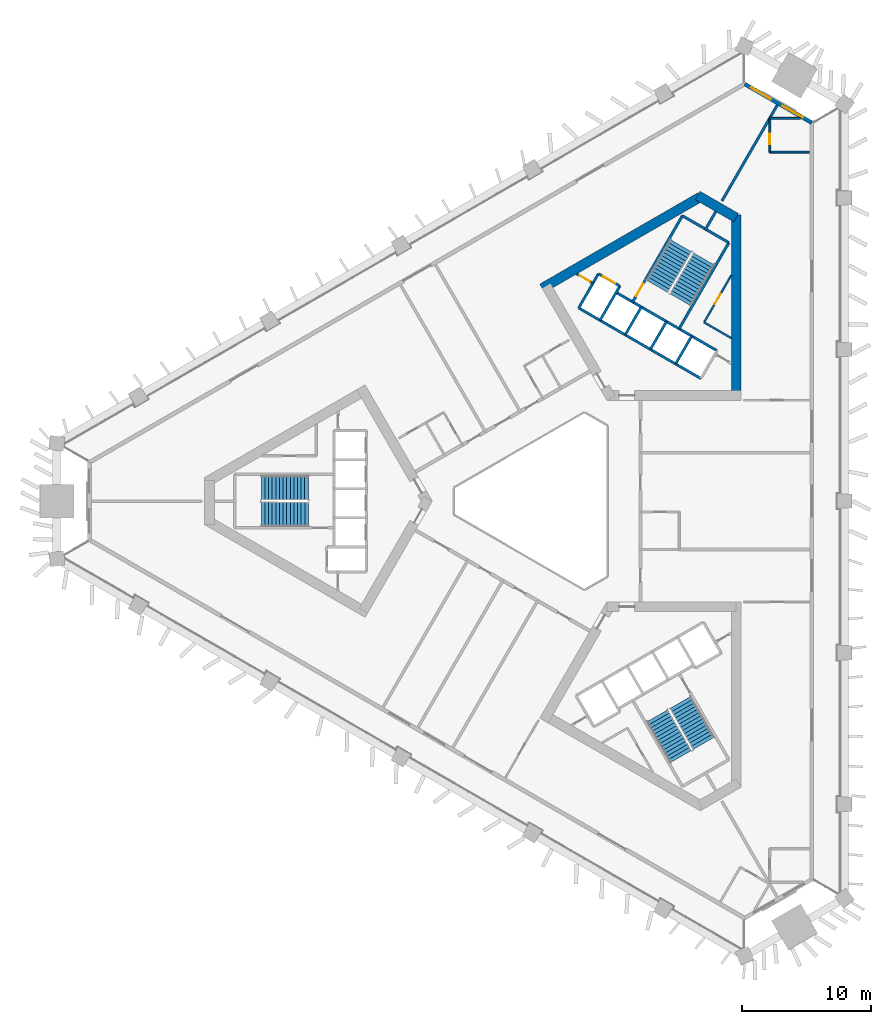
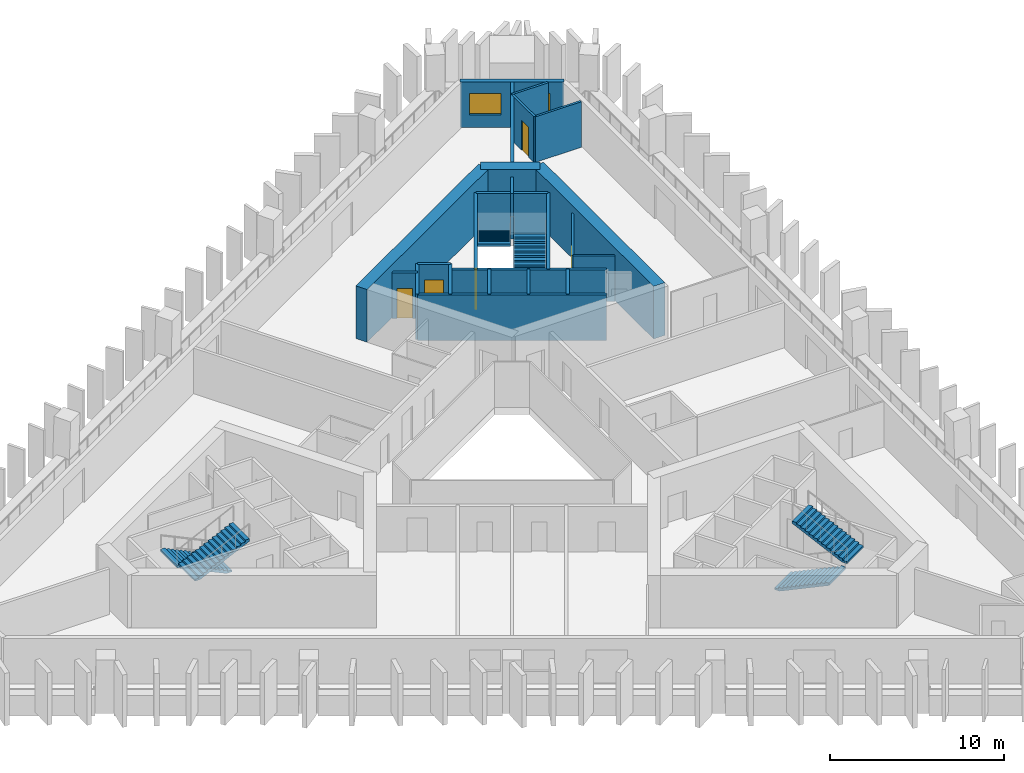
# One storey, part 6 of 10: 23 walls, 6 stair flights, 5 doors, 2 windows, 7 openings, 3 elements without a shape of their own.
"""IFC4 building model written with IfcOpenShell, lengths in metres."""

import ifcopenshell
import ifcopenshell.guid

model = None  # the IFC model being written
_history = None  # IfcOwnerHistory: only IFC2X3 demands one
_inside = {}  # id of a spatial element -> (the spatial element, [elements in it])
_under = {}  # id of a project, library or spatial element -> (it, [spatial elements below it])
_declared = {}  # id of a project -> (the project, [libraries it declares])
_typed = {}  # id of a type object -> (the type object, [elements of that type])
_made_of = {}  # id of a material, layer set ... -> (it, [elements and type objects made of it])


def new_model(schema):
    """Start an empty IFC model of exactly this schema.

    Asked for "IFC4X3", IfcOpenShell would pick the latest addendum, in which some entities
    have other attributes; the version numbers below select the first issue.
    IFC2X3 requires an IfcOwnerHistory on every rooted entity: one is made here for all.
    """
    global model, _history
    if schema == "IFC4X3":
        model = ifcopenshell.file(schema_version=(4, 3, 0, 0))
    else:
        model = ifcopenshell.file(schema=schema)
    _inside.clear()
    _under.clear()
    _declared.clear()
    _typed.clear()
    _made_of.clear()
    _history = None
    if model.schema == "IFC2X3":
        org = make("IfcOrganization", Name="unknown")
        user = make(
            "IfcPersonAndOrganization",
            ThePerson=make("IfcPerson", FamilyName="unknown"),
            TheOrganization=org,
        )
        app = make(
            "IfcApplication",
            ApplicationDeveloper=org,
            Version="unknown",
            ApplicationFullName="unknown",
            ApplicationIdentifier="unknown",
        )
        _history = make(
            "IfcOwnerHistory",
            OwningUser=user,
            OwningApplication=app,
            ChangeAction="ADDED",
            CreationDate=0,
        )
    return model


def make(cls, **values):
    """One entity of the class cls with the attributes given. An attribute that is None is left unset."""
    return model.create_entity(
        cls, **{name: value for name, value in values.items() if value is not None}
    )


def rooted(cls, **values):
    """An entity with a GlobalId (a new one), such as an element, a storey or a relation."""
    return make(cls, GlobalId=ifcopenshell.guid.new(), OwnerHistory=_history, **values)


def si_unit(unit_type, name, prefix=None):
    """IfcSIUnit, for example si_unit("LENGTHUNIT", "METRE", prefix="MILLI")."""
    return make("IfcSIUnit", UnitType=unit_type, Prefix=prefix, Name=name)


def assignment(units):
    """IfcUnitAssignment: the units of a project."""
    return None if units is None else make("IfcUnitAssignment", Units=units)


def point(xyz):
    """IfcCartesianPoint."""
    return None if xyz is None else make("IfcCartesianPoint", Coordinates=xyz)


def direction(xyz):
    """IfcDirection."""
    return None if xyz is None else make("IfcDirection", DirectionRatios=xyz)


def frame(location, z_axis=None, x_axis=None):
    """IfcAxis2Placement3D, a coordinate frame: its origin and axes. An axis left out is left unset."""
    return make(
        "IfcAxis2Placement3D",
        Location=point(location),
        Axis=direction(z_axis),
        RefDirection=direction(x_axis),
    )


def frame_2d(location, x_axis=None):
    """IfcAxis2Placement2D, a coordinate frame in the plane: its origin and x axis."""
    return make(
        "IfcAxis2Placement2D", Location=point(location), RefDirection=direction(x_axis)
    )


def origin():
    """The frame at (0, 0, 0) with its axes left unset."""
    return frame((0.0, 0.0, 0.0))


def place(relative_to, where):
    """IfcLocalPlacement: puts the frame where relative to a parent placement (None: the world)."""
    return make(
        "IfcLocalPlacement", PlacementRelTo=relative_to, RelativePlacement=where
    )


def context(
    kind, dimensions, precision=None, world=None, true_north=None, identifier=None
):
    """IfcGeometricRepresentationContext, for example the 3D "Model" context."""
    return make(
        "IfcGeometricRepresentationContext",
        ContextIdentifier=identifier,
        ContextType=kind,
        CoordinateSpaceDimension=dimensions,
        Precision=precision,
        WorldCoordinateSystem=world,
        TrueNorth=true_north,
    )


def subcontext(parent, identifier, kind, view, scale=None):
    """IfcGeometricRepresentationSubContext, for example "Body" below "Model"."""
    return make(
        "IfcGeometricRepresentationSubContext",
        ContextIdentifier=identifier,
        ContextType=kind,
        ParentContext=parent,
        TargetScale=scale,
        TargetView=view,
    )


def project(units=None, contexts=None):
    """IfcProject with its units and contexts."""
    return rooted(
        "IfcProject",
        Name="project",
        RepresentationContexts=contexts,
        UnitsInContext=assignment(units),
    )


def spatial(cls, under=None, at=None, **own):
    """A site, building, storey or space (cls), placed at a placement, below another one or the project."""
    s = rooted(cls, ObjectPlacement=at, **own)
    if under is not None:
        _under.setdefault(under.id(), (under, []))[1].append(s)
    return s


def polyline(points):
    """IfcPolyline through the points."""
    return make("IfcPolyline", Points=[point(p) for p in points])


def profile(cls, at=None, kind="AREA", **sizes):
    """A parametric profile (cls). Its sizes go by their IFC names, for example OverallWidth=200.0."""
    return make(cls, ProfileType=kind, Position=at, **sizes)


def rectangle(**sizes):
    """IfcRectangleProfileDef."""
    return profile("IfcRectangleProfileDef", **sizes)


def outline(outer, holes=None, kind="AREA"):
    """IfcArbitraryClosedProfileDef: a profile drawn as a closed curve; with holes, ...WithVoids."""
    if holes is None:
        return make("IfcArbitraryClosedProfileDef", ProfileType=kind, OuterCurve=outer)
    return make(
        "IfcArbitraryProfileDefWithVoids",
        ProfileType=kind,
        OuterCurve=outer,
        InnerCurves=holes,
    )


def extrude(swept, where, along, depth):
    """IfcExtrudedAreaSolid: the profile swept, set in the frame where, extruded along a direction by depth."""
    return make(
        "IfcExtrudedAreaSolid",
        SweptArea=swept,
        Position=where,
        ExtrudedDirection=direction(along),
        Depth=depth,
    )


def shape(context_of_items, identifier, shape_type, items):
    """IfcShapeRepresentation: the items that make up one representation, for example the "Body"."""
    return make(
        "IfcShapeRepresentation",
        ContextOfItems=context_of_items,
        RepresentationIdentifier=identifier,
        RepresentationType=shape_type,
        Items=items,
    )


def material(Name=None, Category=None):
    """IfcMaterial."""
    return make("IfcMaterial", Name=Name, Category=Category)


def layer(
    of_material, thickness, ventilated=None, Name=None, Category=None, Priority=None
):
    """IfcMaterialLayer: one layer of a wall or slab, of a material (None: an air gap)."""
    return make(
        "IfcMaterialLayer",
        Material=of_material,
        LayerThickness=thickness,
        IsVentilated=ventilated,
        Name=Name,
        Category=Category,
        Priority=Priority,
    )


def layer_set(layers, Name=None):
    """IfcMaterialLayerSet."""
    return make("IfcMaterialLayerSet", MaterialLayers=layers, LayerSetName=Name)


def made_of(thing, what):
    """Note that an element or type object is made of a material, layer set ...; save() writes the relation."""
    if what is not None:
        _made_of.setdefault(what.id(), (what, []))[1].append(thing)
    return thing


def type_object(cls, material=None, **own):
    """A type object (cls), such as IfcWallType, which elements share."""
    return made_of(rooted(cls, **own), material)


def element(
    cls,
    number,
    at=None,
    inside=None,
    cuts=None,
    type_object=None,
    material=None,
    context=None,
    identifier="Body",
    shape_type=None,
    held_by="IfcProductDefinitionShape",
    body=None,
    shapes=None,
    **own,
):
    """One element of the class cls, such as IfcWall. Its Tag is "e" and its number.

    at: its placement. inside: the storey or other place that contains it. cuts: it is an
    opening in that element (IfcRelVoidsElement). A single representation is given by context,
    identifier, shape_type and body (its items); several are given by shapes. held_by: the class
    of the entity that holds the representations. save() writes the other relations.
    """
    e = rooted(cls, Tag="e%d" % number, ObjectPlacement=at, **own)
    if body is not None:
        shapes = [shape(context, identifier, shape_type, body)]
    if shapes is not None:
        e.Representation = make(held_by, Representations=shapes)
    if inside is not None:
        _inside.setdefault(inside.id(), (inside, []))[1].append(e)
    if cuts is not None:
        rooted(
            "IfcRelVoidsElement", RelatingBuildingElement=cuts, RelatedOpeningElement=e
        )
    if type_object is not None:
        _typed.setdefault(type_object.id(), (type_object, []))[1].append(e)
    return made_of(e, material)


def fill(opening, filler):
    """IfcRelFillsElement: the door or window that sits in an opening."""
    return rooted(
        "IfcRelFillsElement",
        RelatingOpeningElement=opening,
        RelatedBuildingElement=filler,
    )


def aggregate(whole, parts):
    """IfcRelAggregates: a whole, such as a stair, and the parts it consists of."""
    return rooted("IfcRelAggregates", RelatingObject=whole, RelatedObjects=parts)


def save(model, path):
    """Write the relations noted so far, then the file.

    IfcRelAggregates (storeys below a building ...), IfcRelContainedInSpatialStructure (elements
    in a storey), IfcRelDefinesByType, IfcRelAssociatesMaterial and IfcRelDeclares: one each for
    every whole, place, type object, material and project.
    """
    for whole, parts in _under.values():
        aggregate(whole, parts)
    for where, things in _inside.values():
        rooted(
            "IfcRelContainedInSpatialStructure",
            RelatedElements=things,
            RelatingStructure=where,
        )
    for kind, things in _typed.values():
        rooted("IfcRelDefinesByType", RelatedObjects=things, RelatingType=kind)
    for what, things in _made_of.values():
        rooted("IfcRelAssociatesMaterial", RelatedObjects=things, RelatingMaterial=what)
    for by, libraries in _declared.values():
        rooted("IfcRelDeclares", RelatingContext=by, RelatedDefinitions=libraries)
    model.write(path)


model = new_model("IFC4")

# Units and contexts
model_context = context("Model", 3, precision=1e-05, world=origin(), true_north=direction((0.0, 1.0)))
body_context = subcontext(model_context, "Body", "Model", "MODEL_VIEW")
ifc_project = project(units=[si_unit("LENGTHUNIT", "METRE"), si_unit("AREAUNIT", "SQUARE_METRE"), si_unit("VOLUMEUNIT", "CUBIC_METRE"), si_unit("PLANEANGLEUNIT", "RADIAN"), si_unit("MASSUNIT", "GRAM", prefix="KILO")], contexts=[model_context])

# Site, building, storey
site_placement = place(None, origin())
site = spatial("IfcSite", under=ifc_project, at=site_placement, CompositionType="ELEMENT")
building_placement = place(site_placement, origin())
building = spatial("IfcBuilding", under=site, at=building_placement, Name="Jabali Bay Hotel Tower and Convention Centre", CompositionType="ELEMENT")
storey_placement = place(building_placement, frame((0.0, 0.0, 86.89990234375)))
storey = spatial("IfcBuildingStorey", under=building, at=storey_placement, Name="L20", CompositionType="ELEMENT", Elevation=86.89990234375)

# Wall
ifc_material_1 = material(Name="Concrete C40", Category="concrete")
ifc_layer_1 = layer(ifc_material_1, 0.199951171875)
ifc_layer_set_1 = layer_set([ifc_layer_1], Name="Concrete C40")
wall_type_1 = type_object("IfcWallType", Name="Core partition wall 200", PredefinedType="PARTITIONING", material=ifc_layer_set_1)
wall_1_placement = place(storey_placement, frame((87.090087890625, 100.9404296875, 0.0), z_axis=(0.0, 0.0, 1.0), x_axis=(0.499937194881, 0.866061661301, 0.0)))
element("IfcWall", 1, at=wall_1_placement, inside=storey, type_object=wall_type_1, Name="Core wall 1.5 L20", PredefinedType="PARTITIONING", context=body_context, shape_type="SweptSolid", body=[
    extrude(rectangle(XDim=1.673095703125, YDim=0.199951171875, at=frame_2d((0.83642578125, 0.0))), origin(), (0.0, 0.0, 1.0), 3.2001953125),
])

# Wall, opening, door
wall_2_placement = place(storey_placement, frame((78.43017578125, 96.84130859375, 0.0), z_axis=(0.0, 0.0, 1.0), x_axis=(-0.866045896294, 0.499964504253, 0.0)))
wall_2 = element("IfcWall", 2, at=wall_2_placement, inside=storey, type_object=wall_type_1, Name="Core wall 1.12 L20", PredefinedType="PARTITIONING", context=body_context, shape_type="SweptSolid", body=[
    extrude(rectangle(XDim=1.455078125, YDim=0.199951171875, at=frame_2d((0.7275390625, 0.0))), origin(), (0.0, 0.0, 1.0), 3.2001953125),
])
opening_1_placement = place(wall_2_placement, frame((0.277587890625, 0.0, 0.0)))
opening_1 = element("IfcOpeningElement", 3, at=opening_1_placement, cuts=wall_2, Name="Opening D482", PredefinedType="OPENING", context=body_context, shape_type="SweptSolid", body=[
    extrude(rectangle(XDim=0.89990234375, YDim=2.10009765625, at=frame_2d((0.449951171875, 1.050048828125))), frame((0.0, 0.1103515625, 0.0), z_axis=(0.0, -1.0, 0.0), x_axis=(1.0, 0.0, 0.0)), (0.0, 0.0, 1.0), 0.220947265625),
])
ifc_material_2 = material(Name="Fire-rated steel door", Category="steel")
door_type_1 = type_object("IfcDoorType", Name="Vestibule fire door 900 x 2100", OperationType="NOTDEFINED", PredefinedType="NOTDEFINED", material=ifc_material_2)
door_1_placement = place(opening_1_placement, origin())
door_1 = element("IfcDoor", 4, at=door_1_placement, inside=storey, type_object=door_type_1, Name="Vestibule fire door D482", OperationType="SINGLE_SWING_LEFT", OverallHeight=2.10009765625, OverallWidth=0.89990234375, PredefinedType="NOTDEFINED", context=body_context, shape_type="SweptSolid", body=[
    extrude(rectangle(XDim=0.89990234375, YDim=2.10009765625, at=frame_2d((0.449951171875, 1.050048828125))), frame((0.0, 0.02490234375, 0.0), z_axis=(0.0, -1.0, 0.0), x_axis=(1.0, 0.0, 0.0)), (0.0, 0.0, 1.0), 0.050048828125),
])
fill(opening_1, door_1)

ifc_material_3 = material(Name="Fire-rated board partition")
ifc_layer_2 = layer(ifc_material_3, 0.14990234375)
ifc_layer_set_2 = layer_set([ifc_layer_2], Name="Fire-rated board partition")
wall_type_2 = type_object("IfcWallType", Name="Core room partition 150", PredefinedType="PARTITIONING", material=ifc_layer_set_2)
wall_3_placement = place(storey_placement, frame((87.02099609375, 93.821044921875, 0.0), z_axis=(0.0, 0.0, 1.0), x_axis=(0.499986337096, 0.866033291922, 0.0)))
wall_3 = element("IfcWall", 5, at=wall_3_placement, inside=storey, type_object=wall_type_2, Name="Core wall 1.1 L20", PredefinedType="PARTITIONING", context=body_context, shape_type="SweptSolid", body=[
    extrude(rectangle(XDim=4.2177734375, YDim=0.14990234375, at=frame_2d((2.10888671875, 0.0))), origin(), (0.0, 0.0, 1.0), 3.2001953125),
])
opening_2_placement = place(wall_3_placement, frame((1.63134765625, 0.0, 0.0)))
opening_2 = element("IfcOpeningElement", 6, at=opening_2_placement, cuts=wall_3, Name="Opening D485", PredefinedType="OPENING", context=body_context, shape_type="SweptSolid", body=[
    extrude(rectangle(XDim=0.89990234375, YDim=2.10009765625, at=frame_2d((0.449951171875, 1.050048828125))), frame((0.0, 0.08544921875, 0.0), z_axis=(0.0, -1.0, 0.0), x_axis=(1.0, 0.0, 0.0)), (0.0, 0.0, 1.0), 0.1708984375),
])
door_type_2 = type_object("IfcDoorType", Name="Core room door 900 x 2100", OperationType="NOTDEFINED", PredefinedType="NOTDEFINED", material=ifc_material_2)
door_2_placement = place(opening_2_placement, origin())
door_2 = element("IfcDoor", 7, at=door_2_placement, inside=storey, type_object=door_type_2, Name="Core room door D485", OperationType="SINGLE_SWING_LEFT", OverallHeight=2.10009765625, OverallWidth=0.89990234375, PredefinedType="NOTDEFINED", context=body_context, shape_type="SweptSolid", body=[
    extrude(rectangle(XDim=0.89990234375, YDim=2.10009765625, at=frame_2d((0.449951171875, 1.050048828125))), frame((0.0, 0.02490234375, 0.0), z_axis=(0.0, -1.0, 0.0), x_axis=(1.0, 0.0, 0.0)), (0.0, 0.0, 1.0), 0.050048828125),
])
fill(opening_2, door_2)

# Walls
wall_4_placement = place(storey_placement, frame((89.130126953125, 92.603515625, 0.0), z_axis=(0.0, 0.0, 1.0), x_axis=(-0.866057046432, 0.499945189322, 0.0)))
element("IfcWall", 8, at=wall_4_placement, inside=storey, type_object=wall_type_2, Name="Core wall 1.15 L20", PredefinedType="PARTITIONING", context=body_context, shape_type="SweptSolid", body=[
    extrude(rectangle(XDim=2.435302734375, YDim=0.14990234375, at=frame_2d((1.2177734375, 0.0))), origin(), (0.0, 0.0, 1.0), 3.2001953125),
])
ifc_layer_3 = layer(ifc_material_1, 0.199951171875)
ifc_layer_set_3 = layer_set([ifc_layer_3], Name="Concrete C40")
wall_type_3 = type_object("IfcWallType", Name="Core stair wall 200", PredefinedType="SOLIDWALL", material=ifc_layer_set_3)
wall_5_placement = place(storey_placement, frame((84.8212890625, 90.61083984375, 0.0), z_axis=(0.0, 0.0, 1.0), x_axis=(0.499961042966, 0.86604789447, 0.0)))
element("IfcWall", 9, at=wall_5_placement, inside=storey, type_object=wall_type_3, Name="Core wall 1.2 L20", PredefinedType="SOLIDWALL", context=body_context, shape_type="SweptSolid", body=[
    extrude(rectangle(XDim=2.480224609375, YDim=0.199951171875, at=frame_2d((1.240234375, 0.0))), origin(), (0.0, 0.0, 1.0), 3.2001953125),
])
wall_6_placement = place(storey_placement, frame((85.0869140625, 93.3212890625, 0.0), z_axis=(0.0, 0.0, 1.0), x_axis=(0.500019787375, 0.866013979237, 0.0)))
element("IfcWall", 10, at=wall_6_placement, inside=storey, type_object=wall_type_3, Name="Core wall 1.3 L20", PredefinedType="SOLIDWALL", context=body_context, shape_type="SweptSolid", body=[
    extrude(rectangle(XDim=7.699951171875, YDim=0.199951171875, at=frame_2d((3.85009765625, 0.0))), origin(), (0.0, 0.0, 1.0), 3.2001953125),
])
for number, where, z_axis, x_axis, name in (
    (11, (82.872802734375, 91.73583984375, 0.0), (0.0, 0.0, 1.0), (0.499961042966, 0.86604789447, 0.0), "Core wall 1.4 L20"),
    (12, (80.924072265625, 92.86083984375, 0.0), (0.0, 0.0, 1.0), (0.499961042966, 0.86604789447, 0.0), "Core wall 1.6 L20"),
):
    element("IfcWall", number, at=place(storey_placement, frame(where, z_axis=z_axis, x_axis=x_axis)), inside=storey, type_object=wall_type_3, Name=name, PredefinedType="SOLIDWALL", context=body_context, shape_type="SweptSolid", body=[
        extrude(rectangle(XDim=2.480224609375, YDim=0.199951171875, at=frame_2d((1.240234375, 0.0))), origin(), (0.0, 0.0, 1.0), 3.2001953125),
    ])

# Wall, opening, door
wall_7_placement = place(storey_placement, frame((81.492919921875, 95.396240234375, 0.0), z_axis=(0.0, 0.0, 1.0), x_axis=(0.500006057782, 0.866021906294, 0.0)))
wall_7 = element("IfcWall", 13, at=wall_7_placement, inside=storey, type_object=wall_type_3, Name="Core wall 1.7 L20", PredefinedType="SOLIDWALL", context=body_context, shape_type="SweptSolid", body=[
    extrude(rectangle(XDim=7.7001953125, YDim=0.199951171875, at=frame_2d((3.85009765625, 0.0))), origin(), (0.0, 0.0, 1.0), 3.2001953125),
])
opening_3_placement = place(wall_7_placement, frame((0.550048828125, 0.0, 0.0)))
opening_3 = element("IfcOpeningElement", 14, at=opening_3_placement, cuts=wall_7, Name="Opening D484", PredefinedType="OPENING", context=body_context, shape_type="SweptSolid", body=[
    extrude(rectangle(XDim=1.10009765625, YDim=2.10009765625, at=frame_2d((0.550048828125, 1.050048828125))), frame((0.0, 0.1103515625, 0.0), z_axis=(0.0, -1.0, 0.0), x_axis=(1.0, 0.0, 0.0)), (0.0, 0.0, 1.0), 0.220947265625),
])
door_type_3 = type_object("IfcDoorType", Name="Stair fire door 1100 x 2100", OperationType="NOTDEFINED", PredefinedType="NOTDEFINED", material=ifc_material_2)
door_3_placement = place(opening_3_placement, origin())
door_3 = element("IfcDoor", 15, at=door_3_placement, inside=storey, type_object=door_type_3, Name="Stair fire door D484", OperationType="SINGLE_SWING_RIGHT", OverallHeight=2.10009765625, OverallWidth=1.10009765625, PredefinedType="NOTDEFINED", context=body_context, shape_type="SweptSolid", body=[
    extrude(rectangle(XDim=1.10009765625, YDim=2.10009765625, at=frame_2d((0.550048828125, 1.050048828125))), frame((0.0, 0.02490234375, 0.0), z_axis=(0.0, -1.0, 0.0), x_axis=(1.0, 0.0, 0.0)), (0.0, 0.0, 1.0), 0.050048828125),
])
fill(opening_3, door_3)

# Walls
for number, where, z_axis, x_axis, name in (
    (16, (78.9755859375, 93.98583984375, 0.0), (0.0, 0.0, 1.0), (0.499944174705, 0.866057632134, 0.0), "Core wall 1.8 L20"),
    (17, (77.330078125, 94.93603515625, 0.0), (0.0, 0.0, 1.0), (0.500038867431, 0.8660029625, 0.0), "Core wall 1.9 L20"),
):
    element("IfcWall", number, at=place(storey_placement, frame(where, z_axis=z_axis, x_axis=x_axis)), inside=storey, type_object=wall_type_3, Name=name, PredefinedType="SOLIDWALL", context=body_context, shape_type="SweptSolid", body=[
        extrude(rectangle(XDim=3.050048828125, YDim=0.199951171875, at=frame_2d((1.52490234375, 0.0))), origin(), (0.0, 0.0, 1.0), 3.2001953125),
    ])
wall_8_placement = place(storey_placement, frame((86.769775390625, 89.48583984375, 0.0), z_axis=(0.0, 0.0, 1.0), x_axis=(-0.86601811187, 0.500012629753, 0.0)))
element("IfcWall", 18, at=wall_8_placement, inside=storey, type_object=wall_type_3, Name="Core wall 1.10 L20", PredefinedType="SOLIDWALL", context=body_context, shape_type="SweptSolid", body=[
    extrude(rectangle(XDim=10.900146484375, YDim=0.199951171875, at=frame_2d((5.4501953125, 0.0))), origin(), (0.0, 0.0, 1.0), 3.2001953125),
])
wall_9_placement = place(storey_placement, frame((88.009765625, 91.6337890625, 0.0), z_axis=(0.0, 0.0, 1.0), x_axis=(-0.866024315419, 0.5000018851, 0.0)))
element("IfcWall", 19, at=wall_9_placement, inside=storey, type_object=wall_type_3, Name="Core wall 1.13 L20", PredefinedType="SOLIDWALL", context=body_context, shape_type="SweptSolid", body=[
    extrude(rectangle(XDim=9.0, YDim=0.199951171875, at=frame_2d((4.5, 0.0))), origin(), (0.0, 0.0, 1.0), 3.2001953125),
])

# Wall, opening, door
wall_10_placement = place(storey_placement, frame((80.50048828125, 96.62744140625, 0.0), z_axis=(0.0, 0.0, 1.0), x_axis=(-0.86601224135, 0.500022797313, 0.0)))
wall_10 = element("IfcWall", 20, at=wall_10_placement, inside=storey, type_object=wall_type_3, Name="Core wall 1.14 L20", PredefinedType="SOLIDWALL", context=body_context, shape_type="SweptSolid", body=[
    extrude(rectangle(XDim=1.89990234375, YDim=0.199951171875, at=frame_2d((0.949951171875, 0.0))), origin(), (0.0, 0.0, 1.0), 3.2001953125),
])
opening_4_placement = place(wall_10_placement, frame((0.39990234375, 0.0, 0.0)))
opening_4 = element("IfcOpeningElement", 21, at=opening_4_placement, cuts=wall_10, Name="Opening LD10-L20", PredefinedType="OPENING", context=body_context, shape_type="SweptSolid", body=[
    extrude(rectangle(XDim=1.10009765625, YDim=2.10009765625, at=frame_2d((0.550048828125, 1.050048828125))), frame((0.0, 0.1103515625, 0.0), z_axis=(0.0, -1.0, 0.0), x_axis=(1.0, 0.0, 0.0)), (0.0, 0.0, 1.0), 0.220947265625),
])
ifc_material_4 = material(Name="Stainless steel landing door", Category="steel")
door_type_4 = type_object("IfcDoorType", Name="Landing door 1100 x 2100", OperationType="NOTDEFINED", PredefinedType="NOTDEFINED", material=ifc_material_4)
door_4_placement = place(opening_4_placement, origin())
door_4 = element("IfcDoor", 22, at=door_4_placement, inside=storey, type_object=door_type_4, Name="Landing doors LD10-L20", OperationType="SLIDING_TO_RIGHT", OverallHeight=2.10009765625, OverallWidth=1.10009765625, PredefinedType="NOTDEFINED", context=body_context, shape_type="SweptSolid", body=[
    extrude(rectangle(XDim=1.10009765625, YDim=2.10009765625, at=frame_2d((0.550048828125, 1.050048828125))), frame((0.0, 0.02490234375, 0.0), z_axis=(0.0, -1.0, 0.0), x_axis=(1.0, 0.0, 0.0)), (0.0, 0.0, 1.0), 0.050048828125),
])
fill(opening_4, door_4)

# Walls
wall_11_placement = place(storey_placement, frame((88.93701171875, 99.989501953125, 0.0), z_axis=(0.0, 0.0, 1.0), x_axis=(-0.866004344652, 0.500036473714, 0.0)))
element("IfcWall", 23, at=wall_11_placement, inside=storey, type_object=wall_type_3, Name="Core wall 1.16 L20", PredefinedType="SOLIDWALL", context=body_context, shape_type="SweptSolid", body=[
    extrude(rectangle(XDim=4.150146484375, YDim=0.199951171875, at=frame_2d((2.0751953125, 0.0))), origin(), (0.0, 0.0, 1.0), 3.2001953125),
])
ifc_material_5 = material(Name="Concrete C60", Category="concrete")
ifc_layer_4 = layer(ifc_material_5, 0.75)
ifc_layer_set_4 = layer_set([ifc_layer_4], Name="Concrete C60")
wall_type_4 = type_object("IfcWallType", Name="Core wall 750", PredefinedType="SHEAR", material=ifc_layer_set_4)
wall_12_placement = place(storey_placement, frame((89.5048828125, 88.169189453125, 0.0), z_axis=(0.0, 0.0, 1.0), x_axis=(0.0, 1.0, 0.0)))
element("IfcWall", 24, at=wall_12_placement, inside=storey, type_object=wall_type_4, Name="Core wall 2.2 L20", PredefinedType="SHEAR", context=body_context, shape_type="SweptSolid", body=[
    extrude(rectangle(XDim=13.95849609375, YDim=0.75, at=frame_2d((6.979248046875, 0.0))), origin(), (0.0, 0.0, 1.0), 3.7001953125),
])
wall_13_placement = place(storey_placement, frame((89.5048828125, 101.9111328125, 0.0), z_axis=(0.0, 0.0, 1.0), x_axis=(-0.866017201164, 0.500014207086, 0.0)))
element("IfcWall", 25, at=wall_13_placement, inside=storey, type_object=wall_type_4, Name="Core wall 2.3 L20", PredefinedType="SHEAR", context=body_context, shape_type="SweptSolid", body=[
    extrude(rectangle(XDim=3.4287109375, YDim=0.75, at=frame_2d((1.71435546875, 0.0))), origin(), (0.0, 0.0, 1.0), 3.7001953125),
])
wall_14_placement = place(storey_placement, frame((86.72314453125, 103.517333984375, 0.0), z_axis=(0.0, 0.0, 1.0), x_axis=(-0.866020851292, -0.500007885066, 0.0)))
element("IfcWall", 26, at=wall_14_placement, inside=storey, type_object=wall_type_4, Name="Core wall 2.4 L20", PredefinedType="SHEAR", context=body_context, shape_type="SweptSolid", body=[
    extrude(rectangle(XDim=14.116943359375, YDim=0.75, at=frame_2d((7.05859375, 0.0))), origin(), (0.0, 0.0, 1.0), 3.7001953125),
])

# Wall, openings, windows
ifc_layer_5 = layer(ifc_material_1, 0.300048828125)
ifc_layer_set_5 = layer_set([ifc_layer_5], Name="Concrete C40")
wall_type_5 = type_object("IfcWallType", Name="External wall 300", PredefinedType="SOLIDWALL", material=ifc_layer_set_5)
wall_15_placement = place(storey_placement, frame((90.165283203125, 112.255126953125, 0.0), z_axis=(0.0, 0.0, 1.0), x_axis=(0.866026717539, -0.499997724503, 0.0)))
wall_15 = element("IfcWall", 27, at=wall_15_placement, inside=storey, type_object=wall_type_5, Name="External wall north-east chamfer L20", PredefinedType="SOLIDWALL", context=body_context, shape_type="SweptSolid", body=[
    extrude(rectangle(XDim=5.98828125, YDim=0.300048828125, at=frame_2d((2.994140625, 0.0))), origin(), (0.0, 0.0, 1.0), 3.2001953125),
])
opening_5_placement = place(wall_15_placement, frame((3.388671875, 0.0, 0.89990234375)))
opening_5 = element("IfcOpeningElement", 28, at=opening_5_placement, cuts=wall_15, Name="Opening W1", PredefinedType="OPENING", context=body_context, shape_type="SweptSolid", body=[
    extrude(rectangle(XDim=1.800048828125, YDim=1.5, at=frame_2d((0.89990234375, 0.75))), frame((0.0, 0.16064453125, 0.0), z_axis=(0.0, -1.0, 0.0), x_axis=(1.0, 0.0, 0.0)), (0.0, 0.0, 1.0), 0.321044921875),
])
opening_6_placement = place(wall_15_placement, frame((0.55419921875, 0.0, 0.89990234375)))
opening_6 = element("IfcOpeningElement", 29, at=opening_6_placement, cuts=wall_15, Name="Opening W1", PredefinedType="OPENING", context=body_context, shape_type="SweptSolid", body=[
    extrude(rectangle(XDim=1.800048828125, YDim=1.5, at=frame_2d((0.89990234375, 0.75))), frame((0.0, 0.16064453125, 0.0), z_axis=(0.0, -1.0, 0.0), x_axis=(1.0, 0.0, 0.0)), (0.0, 0.0, 1.0), 0.321044921875),
])
ifc_material_6 = material(Name="Glass", Category="glass")
window_type = type_object("IfcWindowType", Name="Window 1800 x 1500", PartitioningType="SINGLE_PANEL", PredefinedType="WINDOW", material=ifc_material_6)
window_1_placement = place(opening_5_placement, origin())
window_1 = element("IfcWindow", 30, at=window_1_placement, inside=storey, type_object=window_type, Name="Window 2003", OverallHeight=1.5, OverallWidth=1.800048828125, PartitioningType="SINGLE_PANEL", PredefinedType="WINDOW", context=body_context, shape_type="SweptSolid", body=[
    extrude(rectangle(XDim=1.800048828125, YDim=1.5, at=frame_2d((0.89990234375, 0.75))), frame((0.0, 0.030029296875, 0.0), z_axis=(0.0, -1.0, 0.0), x_axis=(1.0, 0.0, 0.0)), (0.0, 0.0, 1.0), 0.06005859375),
])
fill(opening_5, window_1)
window_2_placement = place(opening_6_placement, origin())
window_2 = element("IfcWindow", 31, at=window_2_placement, inside=storey, type_object=window_type, Name="Window 2004", OverallHeight=1.5, OverallWidth=1.800048828125, PartitioningType="SINGLE_PANEL", PredefinedType="WINDOW", context=body_context, shape_type="SweptSolid", body=[
    extrude(rectangle(XDim=1.800048828125, YDim=1.5, at=frame_2d((0.89990234375, 0.75))), frame((0.0, 0.030029296875, 0.0), z_axis=(0.0, -1.0, 0.0), x_axis=(1.0, 0.0, 0.0)), (0.0, 0.0, 1.0), 0.06005859375),
])
fill(opening_6, window_2)

# Wall
ifc_material_7 = material(Name="Plasterboard on steel stud", Category="steel")
ifc_layer_6 = layer(ifc_material_7, 0.14990234375)
ifc_layer_set_6 = layer_set([ifc_layer_6], Name="Plasterboard on steel stud")
wall_type_6 = type_object("IfcWallType", Name="Partition 150 wet", PredefinedType="PARTITIONING", material=ifc_layer_set_6)
wall_16_placement = place(storey_placement, frame((95.1611328125, 106.994140625, 0.0), z_axis=(0.0, 0.0, 1.0), x_axis=(-1.0, 0.0, 0.0)))
element("IfcWall", 32, at=wall_16_placement, inside=storey, type_object=wall_type_6, Name="Partition P03 L20 012", PredefinedType="PARTITIONING", context=body_context, shape_type="SweptSolid", body=[
    extrude(rectangle(XDim=3.0595703125, YDim=0.14990234375, at=frame_2d((1.52978515625, 0.0))), origin(), (0.0, 0.0, 1.0), 3.2001953125),
])

# Wall, opening, door
wall_17_placement = place(storey_placement, frame((92.1015625, 106.994140625, 0.0), z_axis=(0.0, 0.0, 1.0), x_axis=(0.0, 1.0, 0.0)))
wall_17 = element("IfcWall", 33, at=wall_17_placement, inside=storey, type_object=wall_type_6, Name="Partition P03 L20 013", PredefinedType="PARTITIONING", context=body_context, shape_type="SweptSolid", body=[
    extrude(rectangle(XDim=2.60009765625, YDim=0.14990234375, at=frame_2d((1.300048828125, 0.0))), origin(), (0.0, 0.0, 1.0), 3.2001953125),
])
opening_7_placement = place(wall_17_placement, frame((0.60009765625, 0.0, 0.0)))
opening_7 = element("IfcOpeningElement", 34, at=opening_7_placement, cuts=wall_17, Name="Opening 2008", PredefinedType="OPENING", context=body_context, shape_type="SweptSolid", body=[
    extrude(rectangle(XDim=0.800048828125, YDim=2.10009765625, at=frame_2d((0.39990234375, 1.050048828125))), frame((0.0, 0.08544921875, 0.0), z_axis=(0.0, -1.0, 0.0), x_axis=(1.0, 0.0, 0.0)), (0.0, 0.0, 1.0), 0.1708984375),
])
ifc_material_8 = material(Name="Timber", Category="wood")
door_type_5 = type_object("IfcDoorType", Name="En-suite door 800 x 2100", OperationType="NOTDEFINED", PredefinedType="NOTDEFINED", material=ifc_material_8)
door_5_placement = place(opening_7_placement, origin())
door_5 = element("IfcDoor", 35, at=door_5_placement, inside=storey, type_object=door_type_5, Name="Door 2008", OperationType="SINGLE_SWING_LEFT", OverallHeight=2.10009765625, OverallWidth=0.800048828125, PredefinedType="NOTDEFINED", context=body_context, shape_type="SweptSolid", body=[
    extrude(rectangle(XDim=0.800048828125, YDim=2.10009765625, at=frame_2d((0.39990234375, 1.050048828125))), frame((0.0, 0.02490234375, 0.0), z_axis=(0.0, -1.0, 0.0), x_axis=(1.0, 0.0, 0.0)), (0.0, 0.0, 1.0), 0.050048828125),
])
fill(opening_7, door_5)

# Walls
wall_18_placement = place(storey_placement, frame((92.1015625, 109.59423828125, 0.0), z_axis=(0.0, 0.0, 1.0), x_axis=(1.0, 0.0, 0.0)))
element("IfcWall", 36, at=wall_18_placement, inside=storey, type_object=wall_type_6, Name="Partition P03 L20 014", PredefinedType="PARTITIONING", context=body_context, shape_type="SweptSolid", body=[
    extrude(rectangle(XDim=2.37451171875, YDim=0.14990234375, at=frame_2d((1.187255859375, 0.0))), origin(), (0.0, 0.0, 1.0), 3.2001953125),
])
ifc_layer_7 = layer(ifc_material_7, 0.199951171875)
ifc_layer_set_7 = layer_set([ifc_layer_7], Name="Plasterboard on steel stud")
wall_type_7 = type_object("IfcWallType", Name="Partition 200 party", PredefinedType="PARTITIONING", material=ifc_layer_set_7)
wall_19_placement = place(storey_placement, frame((92.6845703125, 110.628662109375, 0.0), z_axis=(0.0, 0.0, 1.0), x_axis=(-0.499995498429, -0.866028002752, 0.0)))
element("IfcWall", 37, at=wall_19_placement, inside=storey, type_object=wall_type_7, Name="Partition P01 L20 015", PredefinedType="PARTITIONING", context=body_context, shape_type="SweptSolid", body=[
    extrude(rectangle(XDim=8.5654296875, YDim=0.199951171875, at=frame_2d((4.28271484375, 0.0))), origin(), (0.0, 0.0, 1.0), 3.2001953125),
])

# Stair, stair flights
stair_type = type_object("IfcStairType", Name="Exit stair 1900", PredefinedType="HALF_TURN_STAIR", material=ifc_material_1)
stair_1_placement = place(storey_placement, origin())
stair_1 = element("IfcStair", 38, at=stair_1_placement, inside=storey, type_object=stair_type, Name="L20 Exit Stair 1", PredefinedType="HALF_TURN_STAIR")
stair_flight_type = type_object("IfcStairFlightType", Name="Stair flight concrete 150", PredefinedType="STRAIGHT", material=ifc_material_1)
stair_flight_1_placement = place(storey_placement, frame((56.419921875, 81.02490234375, 0.0), z_axis=(0.0, 0.0, 1.0), x_axis=(-1.0, 0.0, 0.0)))
stair_flight_1 = element("IfcStairFlight", 39, at=stair_flight_1_placement, type_object=stair_flight_type, Name="ST1 flight 1", NumberOfRisers=14, NumberOfTreads=13, PredefinedType="STRAIGHT", RiserHeight=0.132142857, TreadLength=0.28, context=body_context, shape_type="SweptSolid", body=[
    extrude(outline(polyline([(0.0, 0.0), (0.0, 0.132080078125), (0.280029296875, 0.132080078125), (0.280029296875, 0.264404296875), (0.56005859375, 0.264404296875), (0.56005859375, 0.396484375), (0.840087890625, 0.396484375), (0.840087890625, 0.528564453125), (1.1201171875, 0.528564453125), (1.1201171875, 0.66064453125), (1.39990234375, 0.66064453125), (1.39990234375, 0.79296875), (1.679931640625, 0.79296875), (1.679931640625, 0.925048828125), (1.9599609375, 0.925048828125), (1.9599609375, 1.05712890625), (2.239990234375, 1.05712890625), (2.239990234375, 1.189208984375), (2.52001953125, 1.189208984375), (2.52001953125, 1.321533203125), (2.800048828125, 1.321533203125), (2.800048828125, 1.45361328125), (3.080078125, 1.45361328125), (3.080078125, 1.585693359375), (3.360107421875, 1.585693359375), (3.360107421875, 1.7177734375), (3.639892578125, 1.7177734375), (3.639892578125, 1.85009765625), (3.639892578125, 1.552001953125), (0.351318359375, 0.0), (0.0, 0.0)])), frame((0.0, 0.949951171875, 0.0), z_axis=(0.0, -1.0, 0.0), x_axis=(1.0, 0.0, 0.0)), (0.0, 0.0, 1.0), 1.89990234375),
])
stair_flight_2_placement = place(storey_placement, frame((52.780029296875, 78.97509765625, 1.85009765625), z_axis=(0.0, 0.0, 1.0), x_axis=(1.0, 0.0, 0.0)))
stair_flight_2 = element("IfcStairFlight", 40, at=stair_flight_2_placement, type_object=stair_flight_type, Name="ST1 flight 2", NumberOfRisers=14, NumberOfTreads=13, PredefinedType="STRAIGHT", RiserHeight=0.132142857, TreadLength=0.28, context=body_context, shape_type="SweptSolid", body=[
    extrude(outline(polyline([(0.0, 0.0), (0.0, 0.132080078125), (0.280029296875, 0.132080078125), (0.280029296875, 0.264404296875), (0.56005859375, 0.264404296875), (0.56005859375, 0.396484375), (0.840087890625, 0.396484375), (0.840087890625, 0.528564453125), (1.1201171875, 0.528564453125), (1.1201171875, 0.66064453125), (1.39990234375, 0.66064453125), (1.39990234375, 0.79296875), (1.679931640625, 0.79296875), (1.679931640625, 0.925048828125), (1.9599609375, 0.925048828125), (1.9599609375, 1.05712890625), (2.239990234375, 1.05712890625), (2.239990234375, 1.189208984375), (2.52001953125, 1.189208984375), (2.52001953125, 1.321533203125), (2.800048828125, 1.321533203125), (2.800048828125, 1.45361328125), (3.080078125, 1.45361328125), (3.080078125, 1.585693359375), (3.360107421875, 1.585693359375), (3.360107421875, 1.7177734375), (3.639892578125, 1.7177734375), (3.639892578125, 1.85009765625), (3.639892578125, 1.552001953125), (0.351318359375, 0.0), (0.0, 0.0)])), frame((0.0, 0.949951171875, 0.0), z_axis=(0.0, -1.0, 0.0), x_axis=(1.0, 0.0, 0.0)), (0.0, 0.0, 1.0), 1.89990234375),
])
aggregate(stair_1, [stair_flight_1, stair_flight_2])

stair_2_placement = place(storey_placement, origin())
stair_2 = element("IfcStair", 41, at=stair_2_placement, inside=storey, type_object=stair_type, Name="L20 Exit Stair 2", PredefinedType="HALF_TURN_STAIR")
stair_flight_3_placement = place(storey_placement, frame((85.177734375, 95.578369140625, 0.0), z_axis=(0.0, 0.0, 1.0), x_axis=(0.5, 0.866025403784, 0.0)))
stair_flight_3 = element("IfcStairFlight", 42, at=stair_flight_3_placement, type_object=stair_flight_type, Name="ST2 flight 1", NumberOfRisers=14, NumberOfTreads=13, PredefinedType="STRAIGHT", RiserHeight=0.132142857, TreadLength=0.28, context=body_context, shape_type="SweptSolid", body=[
    extrude(outline(polyline([(0.0, 0.0), (0.0, 0.132080078125), (0.280029296875, 0.132080078125), (0.280029296875, 0.264404296875), (0.56005859375, 0.264404296875), (0.56005859375, 0.396484375), (0.840087890625, 0.396484375), (0.840087890625, 0.528564453125), (1.1201171875, 0.528564453125), (1.1201171875, 0.66064453125), (1.39990234375, 0.66064453125), (1.39990234375, 0.79296875), (1.679931640625, 0.79296875), (1.679931640625, 0.925048828125), (1.9599609375, 0.925048828125), (1.9599609375, 1.05712890625), (2.239990234375, 1.05712890625), (2.239990234375, 1.189208984375), (2.52001953125, 1.189208984375), (2.52001953125, 1.321533203125), (2.800048828125, 1.321533203125), (2.800048828125, 1.45361328125), (3.080078125, 1.45361328125), (3.080078125, 1.585693359375), (3.360107421875, 1.585693359375), (3.360107421875, 1.7177734375), (3.639892578125, 1.7177734375), (3.639892578125, 1.85009765625), (3.639892578125, 1.552001953125), (0.351318359375, 0.0), (0.0, 0.0)])), frame((0.0, 0.949951171875, 0.0), z_axis=(0.0, -1.0, 0.0), x_axis=(1.0, 0.0, 0.0)), (0.0, 0.0, 1.0), 1.89990234375),
])
stair_flight_4_placement = place(storey_placement, frame((85.222412109375, 99.755615234375, 1.85009765625), z_axis=(0.0, 0.0, 1.0), x_axis=(-0.5, -0.866025403784, 0.0)))
stair_flight_4 = element("IfcStairFlight", 43, at=stair_flight_4_placement, type_object=stair_flight_type, Name="ST2 flight 2", NumberOfRisers=14, NumberOfTreads=13, PredefinedType="STRAIGHT", RiserHeight=0.132142857, TreadLength=0.28, context=body_context, shape_type="SweptSolid", body=[
    extrude(outline(polyline([(0.0, 0.0), (0.0, 0.132080078125), (0.280029296875, 0.132080078125), (0.280029296875, 0.264404296875), (0.56005859375, 0.264404296875), (0.56005859375, 0.396484375), (0.840087890625, 0.396484375), (0.840087890625, 0.528564453125), (1.1201171875, 0.528564453125), (1.1201171875, 0.66064453125), (1.39990234375, 0.66064453125), (1.39990234375, 0.79296875), (1.679931640625, 0.79296875), (1.679931640625, 0.925048828125), (1.9599609375, 0.925048828125), (1.9599609375, 1.05712890625), (2.239990234375, 1.05712890625), (2.239990234375, 1.189208984375), (2.52001953125, 1.189208984375), (2.52001953125, 1.321533203125), (2.800048828125, 1.321533203125), (2.800048828125, 1.45361328125), (3.080078125, 1.45361328125), (3.080078125, 1.585693359375), (3.360107421875, 1.585693359375), (3.360107421875, 1.7177734375), (3.639892578125, 1.7177734375), (3.639892578125, 1.85009765625), (3.639892578125, 1.552001953125), (0.351318359375, 0.0), (0.0, 0.0)])), frame((0.0, 0.949951171875, 0.0), z_axis=(0.0, -1.0, 0.0), x_axis=(1.0, 0.0, 0.0)), (0.0, 0.0, 1.0), 1.89990234375),
])
aggregate(stair_2, [stair_flight_3, stair_flight_4])

stair_3_placement = place(storey_placement, origin())
stair_3 = element("IfcStair", 44, at=stair_3_placement, inside=storey, type_object=stair_type, Name="L20 Exit Stair 3", PredefinedType="HALF_TURN_STAIR")
stair_flight_5_placement = place(storey_placement, frame((83.40234375, 63.396728515625, 0.0), z_axis=(0.0, 0.0, 1.0), x_axis=(0.5, -0.866025403784, 0.0)))
stair_flight_5 = element("IfcStairFlight", 45, at=stair_flight_5_placement, type_object=stair_flight_type, Name="ST3 flight 1", NumberOfRisers=14, NumberOfTreads=13, PredefinedType="STRAIGHT", RiserHeight=0.132142857, TreadLength=0.28, context=body_context, shape_type="SweptSolid", body=[
    extrude(outline(polyline([(0.0, 0.0), (0.0, 0.132080078125), (0.280029296875, 0.132080078125), (0.280029296875, 0.264404296875), (0.56005859375, 0.264404296875), (0.56005859375, 0.396484375), (0.840087890625, 0.396484375), (0.840087890625, 0.528564453125), (1.1201171875, 0.528564453125), (1.1201171875, 0.66064453125), (1.39990234375, 0.66064453125), (1.39990234375, 0.79296875), (1.679931640625, 0.79296875), (1.679931640625, 0.925048828125), (1.9599609375, 0.925048828125), (1.9599609375, 1.05712890625), (2.239990234375, 1.05712890625), (2.239990234375, 1.189208984375), (2.52001953125, 1.189208984375), (2.52001953125, 1.321533203125), (2.800048828125, 1.321533203125), (2.800048828125, 1.45361328125), (3.080078125, 1.45361328125), (3.080078125, 1.585693359375), (3.360107421875, 1.585693359375), (3.360107421875, 1.7177734375), (3.639892578125, 1.7177734375), (3.639892578125, 1.85009765625), (3.639892578125, 1.552001953125), (0.351318359375, 0.0), (0.0, 0.0)])), frame((0.0, 0.949951171875, 0.0), z_axis=(0.0, -1.0, 0.0), x_axis=(1.0, 0.0, 0.0)), (0.0, 0.0, 1.0), 1.89990234375),
])
stair_flight_6_placement = place(storey_placement, frame((86.99755859375, 61.26953125, 1.85009765625), z_axis=(0.0, 0.0, 1.0), x_axis=(-0.5, 0.866025403784, 0.0)))
stair_flight_6 = element("IfcStairFlight", 46, at=stair_flight_6_placement, type_object=stair_flight_type, Name="ST3 flight 2", NumberOfRisers=14, NumberOfTreads=13, PredefinedType="STRAIGHT", RiserHeight=0.132142857, TreadLength=0.28, context=body_context, shape_type="SweptSolid", body=[
    extrude(outline(polyline([(0.0, 0.0), (0.0, 0.132080078125), (0.280029296875, 0.132080078125), (0.280029296875, 0.264404296875), (0.56005859375, 0.264404296875), (0.56005859375, 0.396484375), (0.840087890625, 0.396484375), (0.840087890625, 0.528564453125), (1.1201171875, 0.528564453125), (1.1201171875, 0.66064453125), (1.39990234375, 0.66064453125), (1.39990234375, 0.79296875), (1.679931640625, 0.79296875), (1.679931640625, 0.925048828125), (1.9599609375, 0.925048828125), (1.9599609375, 1.05712890625), (2.239990234375, 1.05712890625), (2.239990234375, 1.189208984375), (2.52001953125, 1.189208984375), (2.52001953125, 1.321533203125), (2.800048828125, 1.321533203125), (2.800048828125, 1.45361328125), (3.080078125, 1.45361328125), (3.080078125, 1.585693359375), (3.360107421875, 1.585693359375), (3.360107421875, 1.7177734375), (3.639892578125, 1.7177734375), (3.639892578125, 1.85009765625), (3.639892578125, 1.552001953125), (0.351318359375, 0.0), (0.0, 0.0)])), frame((0.0, 0.949951171875, 0.0), z_axis=(0.0, -1.0, 0.0), x_axis=(1.0, 0.0, 0.0)), (0.0, 0.0, 1.0), 1.89990234375),
])
aggregate(stair_3, [stair_flight_5, stair_flight_6])

save(model, "model.ifc")
